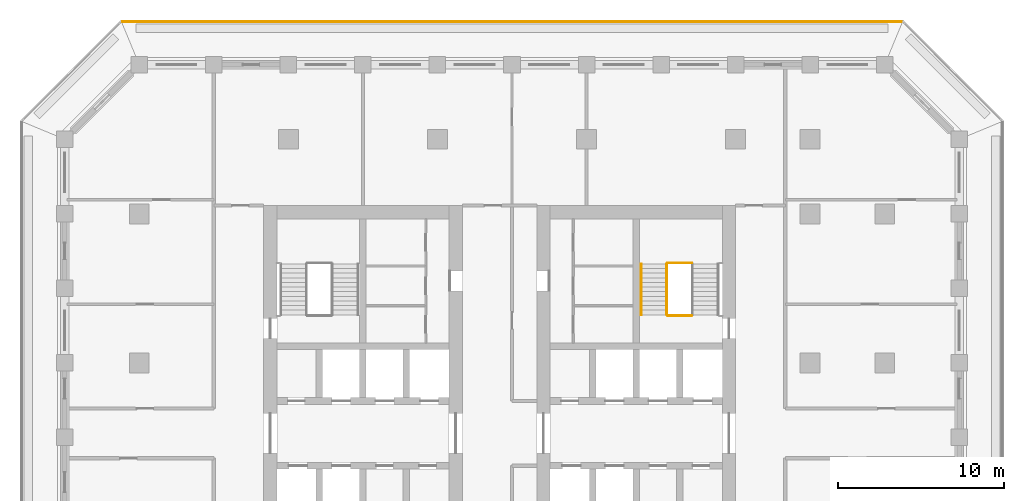
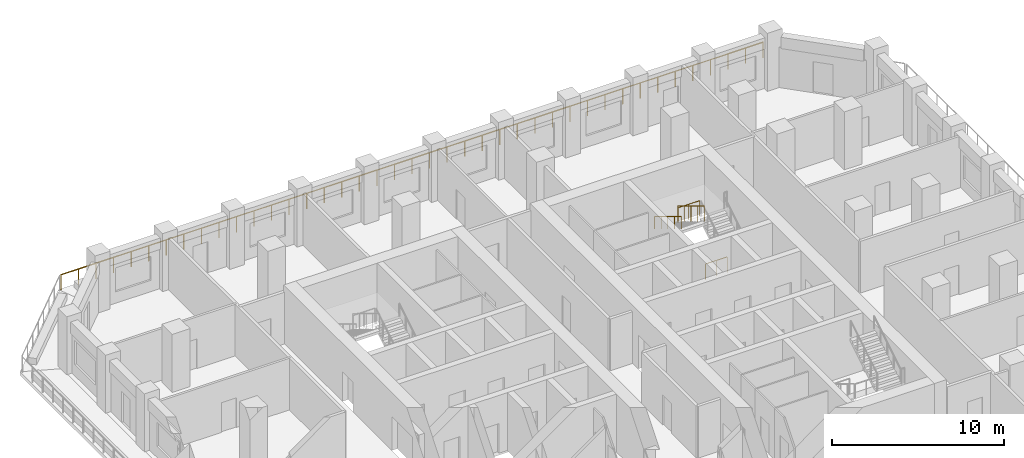
# One storey, part 14 of 16: 5 railings.
"""IFC4 building model written with IfcOpenShell, lengths in metres."""

from ifc_helpers import new_model, si_unit, direction, frame, origin, origin_2d, place, context, subcontext, project, spatial, circle, extrude, material, type_object, element, save


model = new_model("IFC4")

# Units and contexts
model_context = context("Model", 3, precision=1e-05, world=origin(), true_north=direction((0.0, 1.0)))
body_context = subcontext(model_context, "Body", "Model", "MODEL_VIEW")
ifc_project = project(units=[si_unit("LENGTHUNIT", "METRE"), si_unit("AREAUNIT", "SQUARE_METRE"), si_unit("VOLUMEUNIT", "CUBIC_METRE"), si_unit("PLANEANGLEUNIT", "RADIAN"), si_unit("MASSUNIT", "GRAM", prefix="KILO")], contexts=[model_context])

# Site, building, storey
site_placement = place(None, origin())
site = spatial("IfcSite", under=ifc_project, at=site_placement, CompositionType="ELEMENT")
building_placement = place(site_placement, origin())
building = spatial("IfcBuilding", under=site, at=building_placement, Name="Corbel Stack Research Tower", CompositionType="ELEMENT")
storey_placement = place(building_placement, frame((0.0, 0.0, 212.0)))
storey = spatial("IfcBuildingStorey", under=building, at=storey_placement, Name="L48", CompositionType="ELEMENT", Elevation=212.0)

# Railings
ifc_material_1 = material(Name="Steel S355", Category="steel")
railing_type_1 = type_object("IfcRailingType", Name="Stair guard 1100", PredefinedType="GUARDRAIL", material=ifc_material_1)
railing_1_placement = place(storey_placement, frame((15.35009765625, 15.030029296875, 2.050048828125)))
element("IfcRailing", 1, at=railing_1_placement, inside=storey, type_object=railing_type_1, Name="L48 ST-E2 stair guard 2", PredefinedType="GUARDRAIL", context=body_context, shape_type="SweptSolid", body=[
    extrude(circle(Radius=0.02392578125, at=origin_2d()), frame((0.0, 0.0, 1.076171875), z_axis=(-1.0, 0.0, 0.0), x_axis=(0.0, -1.0, 0.0)), (0.0, 0.0, 1.0), 1.4501953125),
    extrude(circle(Radius=0.02099609375, at=origin_2d()), origin(), (0.0, 0.0, 1.0), 1.052001953125),
    extrude(circle(Radius=0.02099609375, at=origin_2d()), frame((-0.72509765625, 0.0, 0.0)), (0.0, 0.0, 1.0), 1.052001953125),
    extrude(circle(Radius=0.02099609375, at=origin_2d()), frame((-1.4501953125, 0.0, 0.0)), (0.0, 0.0, 1.0), 1.052001953125),
])
railing_2_placement = place(storey_placement, frame((13.85009765625, 14.97998046875, 2.220947265625)))
element("IfcRailing", 2, at=railing_2_placement, inside=storey, type_object=railing_type_1, Name="L48 ST-E2 stair guard 4", PredefinedType="GUARDRAIL", context=body_context, shape_type="SweptSolid", body=[
    extrude(circle(Radius=0.02392578125, at=origin_2d()), frame((0.0, 0.0, 1.076171875), z_axis=(0.0, -0.853666305674, 0.52082035152), x_axis=(1.0, 0.0, 0.0)), (0.0, 0.0, 1.0), 3.608154296875),
    extrude(circle(Radius=0.02099609375, at=origin_2d()), origin(), (0.0, 0.0, 1.0), 1.052001953125),
    extrude(circle(Radius=0.02099609375, at=origin_2d()), frame((0.0, -0.77001953125, 0.4697265625)), (0.0, 0.0, 1.0), 1.052001953125),
    extrude(circle(Radius=0.02099609375, at=origin_2d()), frame((0.0, -1.5400390625, 0.939453125)), (0.0, 0.0, 1.0), 1.052001953125),
    extrude(circle(Radius=0.02099609375, at=origin_2d()), frame((0.0, -2.31005859375, 1.409423828125)), (0.0, 0.0, 1.0), 1.052001953125),
    extrude(circle(Radius=0.02099609375, at=origin_2d()), frame((0.0, -3.080078125, 1.879150390625)), (0.0, 0.0, 1.0), 1.052001953125),
])
railing_3_placement = place(storey_placement, frame((15.35009765625, 11.85009765625, 0.0)))
element("IfcRailing", 3, at=railing_3_placement, inside=storey, type_object=railing_type_1, Name="L48 ST-E2 stair guard 5", PredefinedType="GUARDRAIL", context=body_context, shape_type="SweptSolid", body=[
    extrude(circle(Radius=0.02392578125, at=origin_2d()), frame((0.0, 0.0, 1.076171875), z_axis=(-1.0, 0.0, 0.0), x_axis=(0.0, -1.0, 0.0)), (0.0, 0.0, 1.0), 1.4501953125),
    extrude(circle(Radius=0.02099609375, at=origin_2d()), origin(), (0.0, 0.0, 1.0), 1.052001953125),
    extrude(circle(Radius=0.02099609375, at=origin_2d()), frame((-0.72509765625, 0.0, 0.0)), (0.0, 0.0, 1.0), 1.052001953125),
    extrude(circle(Radius=0.02099609375, at=origin_2d()), frame((-1.4501953125, 0.0, 0.0)), (0.0, 0.0, 1.0), 1.052001953125),
])
ifc_material_2 = material(Name="Steel S355", Category="steel")
railing_type_2 = type_object("IfcRailingType", Name="Stair handrail 900", PredefinedType="HANDRAIL", material=ifc_material_2)
railing_4_placement = place(storey_placement, frame((12.300048828125, 14.97998046875, 2.220947265625)))
element("IfcRailing", 4, at=railing_4_placement, inside=storey, type_object=railing_type_2, Name="L48 ST-E2 stair handrail 2", PredefinedType="HANDRAIL", context=body_context, shape_type="SweptSolid", body=[
    extrude(circle(Radius=0.02392578125, at=origin_2d()), frame((0.0, 0.0, 0.8759765625), z_axis=(0.0, -0.853666305674, 0.52082035152), x_axis=(1.0, 0.0, 0.0)), (0.0, 0.0, 1.0), 3.608154296875),
    extrude(circle(Radius=0.02099609375, at=origin_2d()), origin(), (0.0, 0.0, 1.0), 0.851806640625),
    extrude(circle(Radius=0.02099609375, at=origin_2d()), frame((0.0, -0.77001953125, 0.4697265625)), (0.0, 0.0, 1.0), 0.851806640625),
    extrude(circle(Radius=0.02099609375, at=origin_2d()), frame((0.0, -1.5400390625, 0.939453125)), (0.0, 0.0, 1.0), 0.851806640625),
    extrude(circle(Radius=0.02099609375, at=origin_2d()), frame((0.0, -2.31005859375, 1.409423828125)), (0.0, 0.0, 1.0), 0.851806640625),
    extrude(circle(Radius=0.02099609375, at=origin_2d()), frame((0.0, -3.080078125, 1.879150390625)), (0.0, 0.0, 1.0), 0.851806640625),
])
ifc_material_3 = material(Name="Powder-coated steel guard", Category="steel")
railing_type_3 = type_object("IfcRailingType", Name="Steel and glass guard 1100", PredefinedType="GUARDRAIL", material=ifc_material_3)
railing_5_placement = place(storey_placement, frame((28.00537109375, 29.60009765625, 0.0)))
element("IfcRailing", 5, at=railing_5_placement, inside=storey, type_object=railing_type_3, Name="Loggia guard L48 N", PredefinedType="GUARDRAIL", context=body_context, shape_type="SweptSolid", body=[
    extrude(circle(Radius=0.02392578125, at=origin_2d()), frame((0.0, 0.0, 1.076171875), z_axis=(-1.0, 0.0, 0.0), x_axis=(0.0, -1.0, 0.0)), (0.0, 0.0, 1.0), 47.0107421875),
    extrude(circle(Radius=0.02099609375, at=origin_2d()), origin(), (0.0, 0.0, 1.0), 1.052001953125),
    extrude(circle(Radius=0.02099609375, at=origin_2d()), frame((-1.17529296875, 0.0, 0.0)), (0.0, 0.0, 1.0), 1.052001953125),
    extrude(circle(Radius=0.02099609375, at=origin_2d()), frame((-2.3505859375, 0.0, 0.0)), (0.0, 0.0, 1.0), 1.052001953125),
    extrude(circle(Radius=0.02099609375, at=origin_2d()), frame((-3.52587890625, 0.0, 0.0)), (0.0, 0.0, 1.0), 1.052001953125),
    extrude(circle(Radius=0.02099609375, at=origin_2d()), frame((-4.701171875, 0.0, 0.0)), (0.0, 0.0, 1.0), 1.052001953125),
    extrude(circle(Radius=0.02099609375, at=origin_2d()), frame((-5.87646484375, 0.0, 0.0)), (0.0, 0.0, 1.0), 1.052001953125),
    extrude(circle(Radius=0.02099609375, at=origin_2d()), frame((-7.051513671875, 0.0, 0.0)), (0.0, 0.0, 1.0), 1.052001953125),
    extrude(circle(Radius=0.02099609375, at=origin_2d()), frame((-8.226806640625, 0.0, 0.0)), (0.0, 0.0, 1.0), 1.052001953125),
    extrude(circle(Radius=0.02099609375, at=origin_2d()), frame((-9.402099609375, 0.0, 0.0)), (0.0, 0.0, 1.0), 1.052001953125),
    extrude(circle(Radius=0.02099609375, at=origin_2d()), frame((-10.577392578125, 0.0, 0.0)), (0.0, 0.0, 1.0), 1.052001953125),
    extrude(circle(Radius=0.02099609375, at=origin_2d()), frame((-11.752685546875, 0.0, 0.0)), (0.0, 0.0, 1.0), 1.052001953125),
    extrude(circle(Radius=0.02099609375, at=origin_2d()), frame((-12.927978515625, 0.0, 0.0)), (0.0, 0.0, 1.0), 1.052001953125),
    extrude(circle(Radius=0.02099609375, at=origin_2d()), frame((-14.103271484375, 0.0, 0.0)), (0.0, 0.0, 1.0), 1.052001953125),
    extrude(circle(Radius=0.02099609375, at=origin_2d()), frame((-15.278564453125, 0.0, 0.0)), (0.0, 0.0, 1.0), 1.052001953125),
    extrude(circle(Radius=0.02099609375, at=origin_2d()), frame((-16.453857421875, 0.0, 0.0)), (0.0, 0.0, 1.0), 1.052001953125),
    extrude(circle(Radius=0.02099609375, at=origin_2d()), frame((-17.62890625, 0.0, 0.0)), (0.0, 0.0, 1.0), 1.052001953125),
    extrude(circle(Radius=0.02099609375, at=origin_2d()), frame((-18.80419921875, 0.0, 0.0)), (0.0, 0.0, 1.0), 1.052001953125),
    extrude(circle(Radius=0.02099609375, at=origin_2d()), frame((-19.9794921875, 0.0, 0.0)), (0.0, 0.0, 1.0), 1.052001953125),
    extrude(circle(Radius=0.02099609375, at=origin_2d()), frame((-21.15478515625, 0.0, 0.0)), (0.0, 0.0, 1.0), 1.052001953125),
    extrude(circle(Radius=0.02099609375, at=origin_2d()), frame((-22.330078125, 0.0, 0.0)), (0.0, 0.0, 1.0), 1.052001953125),
    extrude(circle(Radius=0.02099609375, at=origin_2d()), frame((-23.50537109375, 0.0, 0.0)), (0.0, 0.0, 1.0), 1.052001953125),
    extrude(circle(Radius=0.02099609375, at=origin_2d()), frame((-24.6806640625, 0.0, 0.0)), (0.0, 0.0, 1.0), 1.052001953125),
    extrude(circle(Radius=0.02099609375, at=origin_2d()), frame((-25.85595703125, 0.0, 0.0)), (0.0, 0.0, 1.0), 1.052001953125),
    extrude(circle(Radius=0.02099609375, at=origin_2d()), frame((-27.03125, 0.0, 0.0)), (0.0, 0.0, 1.0), 1.052001953125),
    extrude(circle(Radius=0.02099609375, at=origin_2d()), frame((-28.20654296875, 0.0, 0.0)), (0.0, 0.0, 1.0), 1.052001953125),
    extrude(circle(Radius=0.02099609375, at=origin_2d()), frame((-29.3818359375, 0.0, 0.0)), (0.0, 0.0, 1.0), 1.052001953125),
    extrude(circle(Radius=0.02099609375, at=origin_2d()), frame((-30.556884765625, 0.0, 0.0)), (0.0, 0.0, 1.0), 1.052001953125),
    extrude(circle(Radius=0.02099609375, at=origin_2d()), frame((-31.732177734375, 0.0, 0.0)), (0.0, 0.0, 1.0), 1.052001953125),
    extrude(circle(Radius=0.02099609375, at=origin_2d()), frame((-32.907470703125, 0.0, 0.0)), (0.0, 0.0, 1.0), 1.052001953125),
    extrude(circle(Radius=0.02099609375, at=origin_2d()), frame((-34.082763671875, 0.0, 0.0)), (0.0, 0.0, 1.0), 1.052001953125),
    extrude(circle(Radius=0.02099609375, at=origin_2d()), frame((-35.258056640625, 0.0, 0.0)), (0.0, 0.0, 1.0), 1.052001953125),
    extrude(circle(Radius=0.02099609375, at=origin_2d()), frame((-36.433349609375, 0.0, 0.0)), (0.0, 0.0, 1.0), 1.052001953125),
    extrude(circle(Radius=0.02099609375, at=origin_2d()), frame((-37.608642578125, 0.0, 0.0)), (0.0, 0.0, 1.0), 1.052001953125),
    extrude(circle(Radius=0.02099609375, at=origin_2d()), frame((-38.783935546875, 0.0, 0.0)), (0.0, 0.0, 1.0), 1.052001953125),
    extrude(circle(Radius=0.02099609375, at=origin_2d()), frame((-39.959228515625, 0.0, 0.0)), (0.0, 0.0, 1.0), 1.052001953125),
    extrude(circle(Radius=0.02099609375, at=origin_2d()), frame((-41.13427734375, 0.0, 0.0)), (0.0, 0.0, 1.0), 1.052001953125),
    extrude(circle(Radius=0.02099609375, at=origin_2d()), frame((-42.3095703125, 0.0, 0.0)), (0.0, 0.0, 1.0), 1.052001953125),
    extrude(circle(Radius=0.02099609375, at=origin_2d()), frame((-43.48486328125, 0.0, 0.0)), (0.0, 0.0, 1.0), 1.052001953125),
    extrude(circle(Radius=0.02099609375, at=origin_2d()), frame((-44.66015625, 0.0, 0.0)), (0.0, 0.0, 1.0), 1.052001953125),
    extrude(circle(Radius=0.02099609375, at=origin_2d()), frame((-45.83544921875, 0.0, 0.0)), (0.0, 0.0, 1.0), 1.052001953125),
    extrude(circle(Radius=0.02099609375, at=origin_2d()), frame((-47.0107421875, 0.0, 0.0)), (0.0, 0.0, 1.0), 1.052001953125),
])

save(model, "model.ifc")
